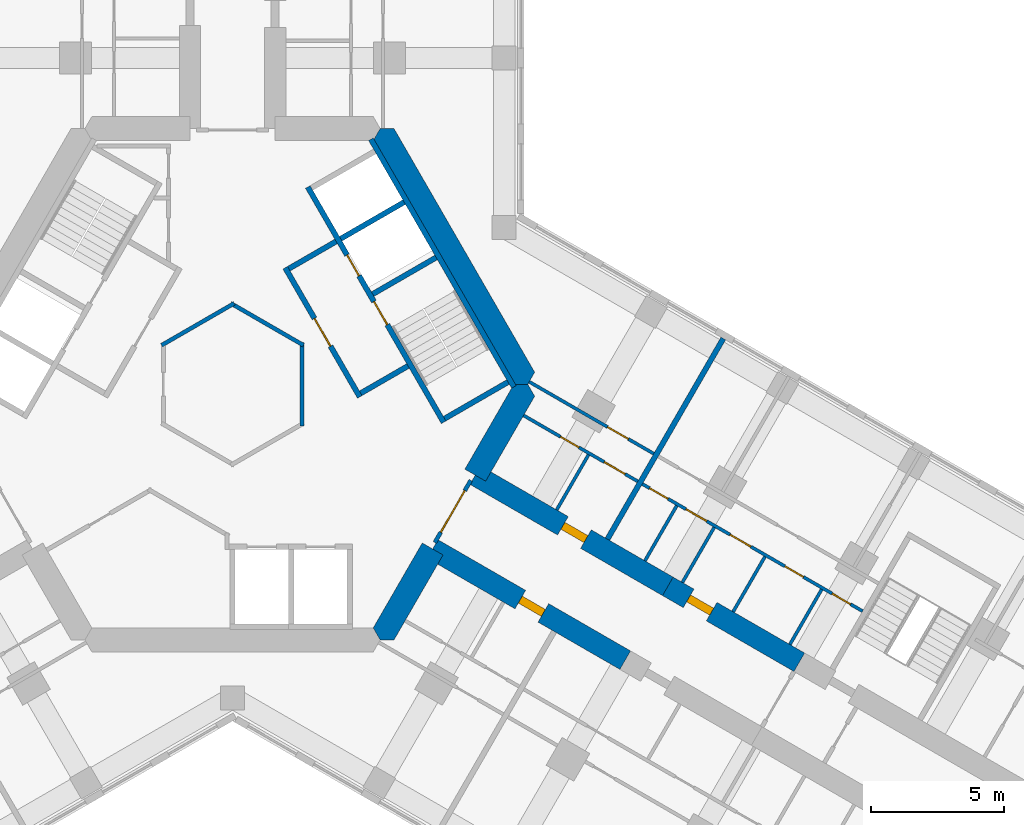
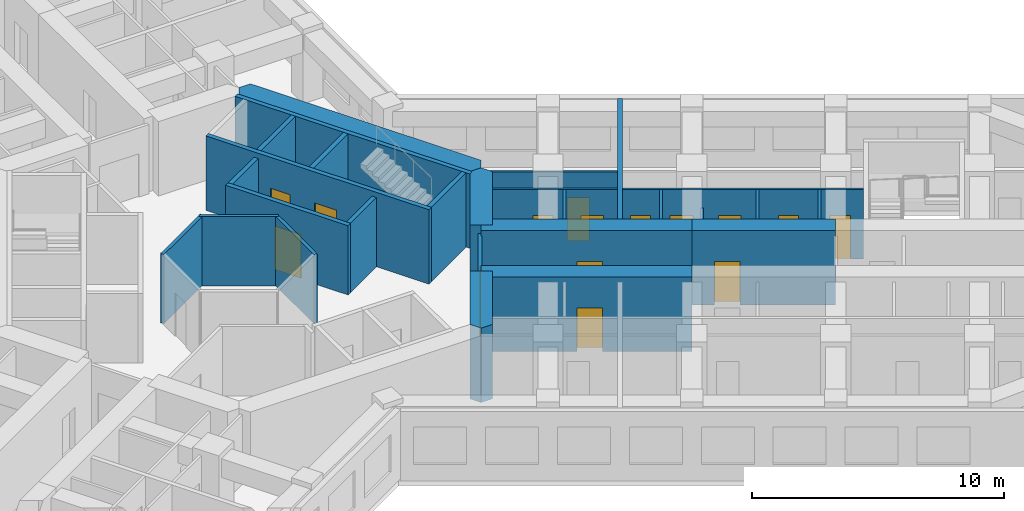
# One storey, part 15 of 19: 27 walls, 15 doors, 15 openings.
"""IFC4 building model written with IfcOpenShell, lengths in metres."""

from ifc_helpers import new_model, si_unit, direction, frame, frame_2d, origin, place, context, subcontext, project, spatial, polyline, rectangle, outline, extrude, material, layer, layer_set, type_object, element, fill, save


model = new_model("IFC4")

# Units and contexts
model_context = context("Model", 3, precision=1e-05, world=origin(), true_north=direction((0.0, 1.0)))
body_context = subcontext(model_context, "Body", "Model", "MODEL_VIEW")
ifc_project = project(units=[si_unit("LENGTHUNIT", "METRE"), si_unit("AREAUNIT", "SQUARE_METRE"), si_unit("VOLUMEUNIT", "CUBIC_METRE"), si_unit("PLANEANGLEUNIT", "RADIAN"), si_unit("MASSUNIT", "GRAM", prefix="KILO")], contexts=[model_context])

# Site, building, storey
site_placement = place(None, origin())
site = spatial("IfcSite", under=ifc_project, at=site_placement, CompositionType="ELEMENT")
building_placement = place(site_placement, origin())
building = spatial("IfcBuilding", under=site, at=building_placement, Name="Kosmar Iwan School Tower", CompositionType="ELEMENT")
storey_placement = place(building_placement, frame((0.0, 0.0, 141.800048828125)))
storey = spatial("IfcBuildingStorey", under=building, at=storey_placement, Name="L35", CompositionType="ELEMENT", Elevation=141.800048828125)

# Walls
ifc_material_1 = material(Name="Gypsum board on steel studs, fire-rated", Category="steel")
ifc_layer_1 = layer(ifc_material_1, 0.14990234375)
ifc_layer_set_1 = layer_set([ifc_layer_1], Name="Core room partition 150")
wall_type_1 = type_object("IfcWallType", Name="Core room partition 150", PredefinedType="PARTITIONING", material=ifc_layer_set_1)
for number, where, z_axis, x_axis, name in (
    (1, (-2.6650390625, 1.463623046875, 0.0), (0.0, 0.0, 1.0), (0.866023080072, 0.500004024767, 0.0), "Core room partition L35-CW11"),
    (2, (-0.06494140625, 3.039794921875, 0.0), (0.0, 0.0, 1.0), (0.866023080072, -0.500004024767, 0.0), "Core room partition L35-CW12"),
    (3, (2.60009765625, 1.576171875, 0.0), (0.0, 0.0, 1.0), (0.0, -1.0, 0.0), "Core room partition L35-CW13"),
):
    element("IfcWall", number, at=place(storey_placement, frame(where, z_axis=z_axis, x_axis=x_axis)), inside=storey, type_object=wall_type_1, Name=name, PredefinedType="PARTITIONING", context=body_context, shape_type="SweptSolid", body=[
        extrude(rectangle(XDim=3.15234375, YDim=0.14990234375, at=frame_2d((1.576171875, 0.0))), origin(), (0.0, 0.0, 1.0), 3.349853515625),
    ])
ifc_material_2 = material(Name="Concrete C50/60", Category="concrete")
ifc_layer_2 = layer(ifc_material_2, 0.89990234375)
ifc_layer_set_2 = layer_set([ifc_layer_2], Name="Core wall 900")
wall_type_2 = type_object("IfcWallType", Name="Core wall 900", PredefinedType="SHEAR", material=ifc_layer_set_2)
wall_1_placement = place(storey_placement, origin())
element("IfcWall", 4, at=wall_1_placement, inside=storey, type_object=wall_type_2, Name="Core wall F030", PredefinedType="SHEAR", context=body_context, shape_type="SweptSolid", body=[
    extrude(outline(polyline([(10.5654296875, 0.0), (11.085205078125, 0.0), (11.344970703125, 0.449951171875), (6.062255859375, 9.60009765625), (5.54248046875, 9.60009765625), (5.28271484375, 9.14990234375), (10.5654296875, 0.0)])), origin(), (0.0, 0.0, 1.0), 3.599853515625),
])
wall_2_placement = place(storey_placement, origin())
element("IfcWall", 5, at=wall_2_placement, inside=storey, type_object=wall_type_2, Name="Core wall F330a", PredefinedType="SHEAR", context=body_context, shape_type="SweptSolid", body=[
    extrude(outline(polyline([(5.54248046875, -9.60009765625), (6.062255859375, -9.60009765625), (7.903564453125, -6.41064453125), (7.1240234375, -5.960693359375), (5.28271484375, -9.14990234375), (5.54248046875, -9.60009765625)])), origin(), (0.0, 0.0, 1.0), 3.599853515625),
])
wall_3_placement = place(storey_placement, origin())
element("IfcWall", 6, at=wall_3_placement, inside=storey, type_object=wall_type_2, Name="Core wall F330b", PredefinedType="SHEAR", context=body_context, shape_type="SweptSolid", body=[
    extrude(outline(polyline([(9.503662109375, -3.639404296875), (11.344970703125, -0.449951171875), (11.085205078125, 0.0), (10.5654296875, 0.0), (8.72412109375, -3.189453125), (9.503662109375, -3.639404296875)])), origin(), (0.0, 0.0, 1.0), 3.599853515625),
])

# Wall, opening, door
ifc_material_3 = material(Name="Concrete C50/60", Category="concrete")
ifc_layer_3 = layer(ifc_material_3, 0.800048828125)
ifc_layer_set_3 = layer_set([ifc_layer_3], Name="Corridor buttress wall 800")
wall_type_3 = type_object("IfcWallType", Name="Corridor buttress wall 800", PredefinedType="SHEAR", material=ifc_layer_set_3)
wall_4_placement = place(storey_placement, frame((9.11376953125, -3.414306640625, 0.0), z_axis=(0.0, 0.0, 1.0), x_axis=(0.866026859388, -0.499997478812, 0.0)))
wall_4 = element("IfcWall", 7, at=wall_4_placement, inside=storey, type_object=wall_type_3, Name="Corridor wall CL", PredefinedType="SHEAR", context=body_context, shape_type="SweptSolid", body=[
    extrude(rectangle(XDim=8.35009765625, YDim=0.800048828125, at=frame_2d((4.175048828125, 0.0))), origin(), (0.0, 0.0, 1.0), 3.599853515625),
])
opening_1_placement = place(wall_4_placement, frame((3.800048828125, 0.0, 0.0)))
opening_1 = element("IfcOpeningElement", 8, at=opening_1_placement, cuts=wall_4, Name="Opening D1", PredefinedType="OPENING", context=body_context, shape_type="SweptSolid", body=[
    extrude(rectangle(XDim=1.0, YDim=2.10009765625, at=frame_2d((0.5, 1.050048828125))), frame((0.0, 0.412109375, 0.0), z_axis=(0.0, -1.0, 0.0), x_axis=(1.0, 0.0, 0.0)), (0.0, 0.0, 1.0), 0.823974609375),
])
ifc_material_4 = material(Name="Timber fire door in steel frame", Category="steel")
door_type_1 = type_object("IfcDoorType", Name="Flat entrance door 1000x2100", OperationType="SINGLE_SWING_LEFT", PredefinedType="DOOR", material=ifc_material_4)
door_1_placement = place(opening_1_placement, origin())
door_1 = element("IfcDoor", 9, at=door_1_placement, inside=storey, type_object=door_type_1, Name="Flat L35-CL1 entrance door", OperationType="SINGLE_SWING_LEFT", OverallHeight=2.10009765625, OverallWidth=1.0, PredefinedType="DOOR", context=body_context, shape_type="SweptSolid", body=[
    extrude(rectangle(XDim=1.0, YDim=2.10009765625, at=frame_2d((0.5, 1.050048828125))), frame((0.0, 0.14990234375, 0.0), z_axis=(0.0, -1.0, 0.0), x_axis=(1.0, 0.0, 0.0)), (0.0, 0.0, 1.0), 0.300048828125),
])
fill(opening_1, door_1)

wall_5_placement = place(storey_placement, frame((16.34521484375, -7.58935546875, 0.0), z_axis=(0.0, 0.0, 1.0), x_axis=(0.866015111908, -0.50001782563, 0.0)))
wall_5 = element("IfcWall", 10, at=wall_5_placement, inside=storey, type_object=wall_type_3, Name="Corridor wall CL bay 2", PredefinedType="SHEAR", context=body_context, shape_type="SweptSolid", body=[
    extrude(rectangle(XDim=5.699951171875, YDim=0.800048828125, at=frame_2d((2.85009765625, 0.0))), origin(), (0.0, 0.0, 1.0), 3.599853515625),
])
opening_2_placement = place(wall_5_placement, frame((0.89990234375, 0.0, 0.0)))
opening_2 = element("IfcOpeningElement", 11, at=opening_2_placement, cuts=wall_5, Name="Opening D1", PredefinedType="OPENING", context=body_context, shape_type="SweptSolid", body=[
    extrude(rectangle(XDim=1.0, YDim=2.10009765625, at=frame_2d((0.5, 1.050048828125))), frame((0.0, 0.412109375, 0.0), z_axis=(0.0, -1.0, 0.0), x_axis=(1.0, 0.0, 0.0)), (0.0, 0.0, 1.0), 0.823974609375),
])
door_2_placement = place(opening_2_placement, origin())
door_2 = element("IfcDoor", 12, at=door_2_placement, inside=storey, type_object=door_type_1, Name="Flat L35-CL2 entrance door", OperationType="SINGLE_SWING_LEFT", OverallHeight=2.10009765625, OverallWidth=1.0, PredefinedType="DOOR", context=body_context, shape_type="SweptSolid", body=[
    extrude(rectangle(XDim=1.0, YDim=2.10009765625, at=frame_2d((0.5, 1.050048828125))), frame((0.0, 0.14990234375, 0.0), z_axis=(0.0, -1.0, 0.0), x_axis=(1.0, 0.0, 0.0)), (0.0, 0.0, 1.0), 0.300048828125),
])
fill(opening_2, door_2)

wall_6_placement = place(storey_placement, frame((7.513916015625, -6.185546875, 0.0), z_axis=(0.0, 0.0, 1.0), x_axis=(0.866019549707, -0.500010139422, 0.0)))
wall_6 = element("IfcWall", 13, at=wall_6_placement, inside=storey, type_object=wall_type_3, Name="Corridor wall CR", PredefinedType="SHEAR", context=body_context, shape_type="SweptSolid", body=[
    extrude(rectangle(XDim=8.349853515625, YDim=0.800048828125, at=frame_2d((4.1748046875, 0.0))), origin(), (0.0, 0.0, 1.0), 3.599853515625),
])
opening_3_placement = place(wall_6_placement, frame((3.800048828125, 0.0, 0.0)))
opening_3 = element("IfcOpeningElement", 14, at=opening_3_placement, cuts=wall_6, Name="Opening D1", PredefinedType="OPENING", context=body_context, shape_type="SweptSolid", body=[
    extrude(rectangle(XDim=1.0, YDim=2.10009765625, at=frame_2d((0.5, 1.050048828125))), frame((0.0, 0.412109375, 0.0), z_axis=(0.0, -1.0, 0.0), x_axis=(1.0, 0.0, 0.0)), (0.0, 0.0, 1.0), 0.823974609375),
])
door_3_placement = place(opening_3_placement, origin())
door_3 = element("IfcDoor", 15, at=door_3_placement, inside=storey, type_object=door_type_1, Name="Flat L35-CR1 entrance door", OperationType="SINGLE_SWING_RIGHT", OverallHeight=2.10009765625, OverallWidth=1.0, PredefinedType="DOOR", context=body_context, shape_type="SweptSolid", body=[
    extrude(rectangle(XDim=1.0, YDim=2.10009765625, at=frame_2d((0.5, 1.050048828125))), frame((0.0, 0.14990234375, 0.0), z_axis=(0.0, -1.0, 0.0), x_axis=(1.0, 0.0, 0.0)), (0.0, 0.0, 1.0), 0.300048828125),
])
fill(opening_3, door_3)

ifc_material_5 = material(Name="Steel framed glazed screen", Category="steel")
ifc_layer_4 = layer(ifc_material_5, 0.14990234375)
ifc_layer_set_4 = layer_set([ifc_layer_4], Name="Corridor screen wall 150")
wall_type_4 = type_object("IfcWallType", Name="Corridor screen wall 150", PredefinedType="PARTITIONING", material=ifc_layer_set_4)
wall_7_placement = place(storey_placement, frame((7.595458984375, -5.944091796875, 0.0), z_axis=(0.0, 0.0, 1.0), x_axis=(0.500048589285, 0.86599734893, 0.0)))
wall_7 = element("IfcWall", 16, at=wall_7_placement, inside=storey, type_object=wall_type_4, Name="Corridor screen C L35", PredefinedType="PARTITIONING", context=body_context, shape_type="SweptSolid", body=[
    extrude(rectangle(XDim=2.699951171875, YDim=0.14990234375, at=frame_2d((1.35009765625, 0.0))), origin(), (0.0, 0.0, 1.0), 3.349853515625),
])
opening_4_placement = place(wall_7_placement, frame((0.449951171875, 0.0, 0.0)))
opening_4 = element("IfcOpeningElement", 17, at=opening_4_placement, cuts=wall_7, Name="Opening D9", PredefinedType="OPENING", context=body_context, shape_type="SweptSolid", body=[
    extrude(rectangle(XDim=1.800048828125, YDim=2.10009765625, at=frame_2d((0.89990234375, 1.050048828125))), frame((0.0, 0.0869140625, 0.0), z_axis=(0.0, -1.0, 0.0), x_axis=(1.0, 0.0, 0.0)), (0.0, 0.0, 1.0), 0.173828125),
])
ifc_material_6 = material(Name="Steel framed glazed smoke door", Category="steel")
door_type_2 = type_object("IfcDoorType", Name="Corridor smoke door pair 1800x2100", OperationType="DOUBLE_DOOR_DOUBLE_SWING", PredefinedType="DOOR", material=ifc_material_6)
door_4_placement = place(opening_4_placement, origin())
door_4 = element("IfcDoor", 18, at=door_4_placement, inside=storey, type_object=door_type_2, Name="Corridor doors C L35", OperationType="DOUBLE_DOOR_DOUBLE_SWING", OverallHeight=2.10009765625, OverallWidth=1.800048828125, PredefinedType="DOOR", context=body_context, shape_type="SweptSolid", body=[
    extrude(rectangle(XDim=1.800048828125, YDim=2.10009765625, at=frame_2d((0.89990234375, 1.050048828125))), frame((0.0, 0.02490234375, 0.0), z_axis=(0.0, -1.0, 0.0), x_axis=(1.0, 0.0, 0.0)), (0.0, 0.0, 1.0), 0.050048828125),
])
fill(opening_4, door_4)

# Wall, openings, doors
ifc_material_7 = material(Name="Gypsum board on steel studs", Category="steel")
ifc_layer_5 = layer(ifc_material_7, 0.1201171875)
ifc_layer_set_5 = layer_set([ifc_layer_5], Name="Dwelling partition 120")
wall_type_5 = type_object("IfcWallType", Name="Dwelling partition 120", PredefinedType="PARTITIONING", material=ifc_layer_set_5)
wall_8_placement = place(storey_placement, frame((10.928466796875, -1.171142578125, 0.0), z_axis=(0.0, 0.0, 1.0), x_axis=(0.866018855338, -0.500011342071, 0.0)))
wall_8 = element("IfcWall", 19, at=wall_8_placement, inside=storey, type_object=wall_type_5, Name="Partition L35-CL1-W1", PredefinedType="PARTITIONING", context=body_context, shape_type="SweptSolid", body=[
    extrude(rectangle(XDim=4.9501953125, YDim=0.1201171875, at=frame_2d((2.47509765625, 0.0))), origin(), (0.0, 0.0, 1.0), 3.349853515625),
])
opening_5_placement = place(wall_8_placement, frame((1.60009765625, 0.0, 0.0)))
opening_5 = element("IfcOpeningElement", 20, at=opening_5_placement, cuts=wall_8, Name="Opening D3", PredefinedType="OPENING", context=body_context, shape_type="SweptSolid", body=[
    extrude(rectangle(XDim=0.800048828125, YDim=2.10009765625, at=frame_2d((0.39990234375, 1.050048828125))), frame((0.0, 0.072021484375, 0.0), z_axis=(0.0, -1.0, 0.0), x_axis=(1.0, 0.0, 0.0)), (0.0, 0.0, 1.0), 0.14404296875),
])
opening_6_placement = place(wall_8_placement, frame((3.5, 0.0, 0.0)))
opening_6 = element("IfcOpeningElement", 21, at=opening_6_placement, cuts=wall_8, Name="Opening D2", PredefinedType="OPENING", context=body_context, shape_type="SweptSolid", body=[
    extrude(rectangle(XDim=0.89990234375, YDim=2.10009765625, at=frame_2d((0.449951171875, 1.050048828125))), frame((0.0, 0.072021484375, 0.0), z_axis=(0.0, -1.0, 0.0), x_axis=(1.0, 0.0, 0.0)), (0.0, 0.0, 1.0), 0.14404296875),
])
ifc_material_8 = material(Name="Timber door in timber frame", Category="wood")
door_type_3 = type_object("IfcDoorType", Name="Internal door 900x2100", OperationType="SINGLE_SWING_LEFT", PredefinedType="DOOR", material=ifc_material_8)
door_5_placement = place(opening_6_placement, origin())
door_5 = element("IfcDoor", 22, at=door_5_placement, inside=storey, type_object=door_type_3, Name="Entrance hall door L35-CL1-S2", OperationType="SINGLE_SWING_RIGHT", OverallHeight=2.10009765625, OverallWidth=0.89990234375, PredefinedType="DOOR", context=body_context, shape_type="SweptSolid", body=[
    extrude(rectangle(XDim=0.89990234375, YDim=2.10009765625, at=frame_2d((0.449951171875, 1.050048828125))), frame((0.0, 0.02490234375, 0.0), z_axis=(0.0, -1.0, 0.0), x_axis=(1.0, 0.0, 0.0)), (0.0, 0.0, 1.0), 0.050048828125),
])
fill(opening_6, door_5)
ifc_material_9 = material(Name="Timber door in timber frame", Category="wood")
door_type_4 = type_object("IfcDoorType", Name="Sanitary room door 800x2100", OperationType="SINGLE_SWING_LEFT", PredefinedType="DOOR", material=ifc_material_9)
door_6_placement = place(opening_5_placement, origin())
door_6 = element("IfcDoor", 23, at=door_6_placement, inside=storey, type_object=door_type_4, Name="Bathroom door L35-CL1-S1", OperationType="SINGLE_SWING_LEFT", OverallHeight=2.10009765625, OverallWidth=0.800048828125, PredefinedType="DOOR", context=body_context, shape_type="SweptSolid", body=[
    extrude(rectangle(XDim=0.800048828125, YDim=2.10009765625, at=frame_2d((0.39990234375, 1.050048828125))), frame((0.0, 0.02490234375, 0.0), z_axis=(0.0, -1.0, 0.0), x_axis=(1.0, 0.0, 0.0)), (0.0, 0.0, 1.0), 0.050048828125),
])
fill(opening_5, door_6)

# Wall, opening, door
wall_9_placement = place(storey_placement, frame((11.138916015625, 0.093017578125, 0.0), z_axis=(0.0, 0.0, 1.0), x_axis=(0.866028230842, -0.499995103361, 0.0)))
wall_9 = element("IfcWall", 24, at=wall_9_placement, inside=storey, type_object=wall_type_5, Name="Partition L35-CL1-W2", PredefinedType="PARTITIONING", context=body_context, shape_type="SweptSolid", body=[
    extrude(rectangle(XDim=5.39990234375, YDim=0.1201171875, at=frame_2d((2.699951171875, 0.0))), origin(), (0.0, 0.0, 1.0), 3.349853515625),
])
opening_7_placement = place(wall_9_placement, frame((3.39990234375, 0.0, 0.0)))
opening_7 = element("IfcOpeningElement", 25, at=opening_7_placement, cuts=wall_9, Name="Opening D2", PredefinedType="OPENING", context=body_context, shape_type="SweptSolid", body=[
    extrude(rectangle(XDim=0.89990234375, YDim=2.10009765625, at=frame_2d((0.449951171875, 1.050048828125))), frame((0.0, 0.072021484375, 0.0), z_axis=(0.0, -1.0, 0.0), x_axis=(1.0, 0.0, 0.0)), (0.0, 0.0, 1.0), 0.14404296875),
])
door_7_placement = place(opening_7_placement, origin())
door_7 = element("IfcDoor", 26, at=door_7_placement, inside=storey, type_object=door_type_3, Name="Studio living room and kitchen door L35-CL1-F1", OperationType="SINGLE_SWING_RIGHT", OverallHeight=2.10009765625, OverallWidth=0.89990234375, PredefinedType="DOOR", context=body_context, shape_type="SweptSolid", body=[
    extrude(rectangle(XDim=0.89990234375, YDim=2.10009765625, at=frame_2d((0.449951171875, 1.050048828125))), frame((0.0, 0.02490234375, 0.0), z_axis=(0.0, -1.0, 0.0), x_axis=(1.0, 0.0, 0.0)), (0.0, 0.0, 1.0), 0.050048828125),
])
fill(opening_7, door_7)

# Wall
wall_10_placement = place(storey_placement, frame((12.171630859375, -4.718017578125, 0.0), z_axis=(0.0, 0.0, 1.0), x_axis=(0.500017192868, 0.86601547725, 0.0)))
element("IfcWall", 27, at=wall_10_placement, inside=storey, type_object=wall_type_5, Name="Partition L35-CL1-Y1", PredefinedType="PARTITIONING", context=body_context, shape_type="SweptSolid", body=[
    extrude(rectangle(XDim=2.39013671875, YDim=0.1201171875, at=frame_2d((1.195068359375, 0.0))), origin(), (0.0, 0.0, 1.0), 3.349853515625),
])

# Wall, openings, doors
wall_11_placement = place(storey_placement, frame((15.388671875, -3.74609375, 0.0), z_axis=(0.0, 0.0, 1.0), x_axis=(0.866017851049, -0.500013081493, 0.0)))
wall_11 = element("IfcWall", 28, at=wall_11_placement, inside=storey, type_object=wall_type_5, Name="Partition L35-CL2-W1", PredefinedType="PARTITIONING", context=body_context, shape_type="SweptSolid", body=[
    extrude(rectangle(XDim=9.550048828125, YDim=0.1201171875, at=frame_2d((4.77490234375, 0.0))), origin(), (0.0, 0.0, 1.0), 3.349853515625),
])
opening_8_placement = place(wall_11_placement, frame((0.3125, 0.0, 0.0)))
opening_8 = element("IfcOpeningElement", 29, at=opening_8_placement, cuts=wall_11, Name="Opening D3", PredefinedType="OPENING", context=body_context, shape_type="SweptSolid", body=[
    extrude(rectangle(XDim=0.800048828125, YDim=2.10009765625, at=frame_2d((0.39990234375, 1.050048828125))), frame((0.0, 0.072021484375, 0.0), z_axis=(0.0, -1.0, 0.0), x_axis=(1.0, 0.0, 0.0)), (0.0, 0.0, 1.0), 0.14404296875),
])
opening_9_placement = place(wall_11_placement, frame((1.887451171875, 0.0, 0.0)))
opening_9 = element("IfcOpeningElement", 30, at=opening_9_placement, cuts=wall_11, Name="Opening D2", PredefinedType="OPENING", context=body_context, shape_type="SweptSolid", body=[
    extrude(rectangle(XDim=0.89990234375, YDim=2.10009765625, at=frame_2d((0.449951171875, 1.050048828125))), frame((0.0, 0.072021484375, 0.0), z_axis=(0.0, -1.0, 0.0), x_axis=(1.0, 0.0, 0.0)), (0.0, 0.0, 1.0), 0.14404296875),
])
opening_10_placement = place(wall_11_placement, frame((3.800048828125, 0.0, 0.0)))
opening_10 = element("IfcOpeningElement", 31, at=opening_10_placement, cuts=wall_11, Name="Opening D2", PredefinedType="OPENING", context=body_context, shape_type="SweptSolid", body=[
    extrude(rectangle(XDim=0.89990234375, YDim=2.10009765625, at=frame_2d((0.449951171875, 1.050048828125))), frame((0.0, 0.072021484375, 0.0), z_axis=(0.0, -1.0, 0.0), x_axis=(1.0, 0.0, 0.0)), (0.0, 0.0, 1.0), 0.14404296875),
])
opening_11_placement = place(wall_11_placement, frame((6.179931640625, 0.0, 0.0)))
opening_11 = element("IfcOpeningElement", 32, at=opening_11_placement, cuts=wall_11, Name="Opening D3", PredefinedType="OPENING", context=body_context, shape_type="SweptSolid", body=[
    extrude(rectangle(XDim=0.800048828125, YDim=2.10009765625, at=frame_2d((0.39990234375, 1.050048828125))), frame((0.0, 0.072021484375, 0.0), z_axis=(0.0, -1.0, 0.0), x_axis=(1.0, 0.0, 0.0)), (0.0, 0.0, 1.0), 0.14404296875),
])
opening_12_placement = place(wall_11_placement, frame((8.22998046875, 0.0, 0.0)))
opening_12 = element("IfcOpeningElement", 33, at=opening_12_placement, cuts=wall_11, Name="Opening D3", PredefinedType="OPENING", context=body_context, shape_type="SweptSolid", body=[
    extrude(rectangle(XDim=0.800048828125, YDim=2.10009765625, at=frame_2d((0.39990234375, 1.050048828125))), frame((0.0, 0.072021484375, 0.0), z_axis=(0.0, -1.0, 0.0), x_axis=(1.0, 0.0, 0.0)), (0.0, 0.0, 1.0), 0.14404296875),
])
door_8_placement = place(opening_9_placement, frame((0.89990234375, 0.0, 0.0), z_axis=(0.0, 0.0, 1.0), x_axis=(-1.0, 0.0, 0.0)))
door_8 = element("IfcDoor", 34, at=door_8_placement, inside=storey, type_object=door_type_3, Name="Pantry door L35-CL2-S2", OperationType="SINGLE_SWING_RIGHT", OverallHeight=2.10009765625, OverallWidth=0.89990234375, PredefinedType="DOOR", context=body_context, shape_type="SweptSolid", body=[
    extrude(rectangle(XDim=0.89990234375, YDim=2.10009765625, at=frame_2d((0.449951171875, 1.050048828125))), frame((0.0, 0.02490234375, 0.0), z_axis=(0.0, -1.0, 0.0), x_axis=(1.0, 0.0, 0.0)), (0.0, 0.0, 1.0), 0.050048828125),
])
fill(opening_9, door_8)
door_9_placement = place(opening_10_placement, origin())
door_9 = element("IfcDoor", 35, at=door_9_placement, inside=storey, type_object=door_type_3, Name="Entrance hall door L35-CL2-S3", OperationType="SINGLE_SWING_LEFT", OverallHeight=2.10009765625, OverallWidth=0.89990234375, PredefinedType="DOOR", context=body_context, shape_type="SweptSolid", body=[
    extrude(rectangle(XDim=0.89990234375, YDim=2.10009765625, at=frame_2d((0.449951171875, 1.050048828125))), frame((0.0, 0.02490234375, 0.0), z_axis=(0.0, -1.0, 0.0), x_axis=(1.0, 0.0, 0.0)), (0.0, 0.0, 1.0), 0.050048828125),
])
fill(opening_10, door_9)
door_10_placement = place(opening_8_placement, origin())
door_10 = element("IfcDoor", 36, at=door_10_placement, inside=storey, type_object=door_type_4, Name="Store door L35-CL2-S1", OperationType="SINGLE_SWING_LEFT", OverallHeight=2.10009765625, OverallWidth=0.800048828125, PredefinedType="DOOR", context=body_context, shape_type="SweptSolid", body=[
    extrude(rectangle(XDim=0.800048828125, YDim=2.10009765625, at=frame_2d((0.39990234375, 1.050048828125))), frame((0.0, 0.02490234375, 0.0), z_axis=(0.0, -1.0, 0.0), x_axis=(1.0, 0.0, 0.0)), (0.0, 0.0, 1.0), 0.050048828125),
])
fill(opening_8, door_10)
door_11_placement = place(opening_11_placement, origin())
door_11 = element("IfcDoor", 37, at=door_11_placement, inside=storey, type_object=door_type_4, Name="Bathroom door L35-CL2-S4", OperationType="SINGLE_SWING_RIGHT", OverallHeight=2.10009765625, OverallWidth=0.800048828125, PredefinedType="DOOR", context=body_context, shape_type="SweptSolid", body=[
    extrude(rectangle(XDim=0.800048828125, YDim=2.10009765625, at=frame_2d((0.39990234375, 1.050048828125))), frame((0.0, 0.02490234375, 0.0), z_axis=(0.0, -1.0, 0.0), x_axis=(1.0, 0.0, 0.0)), (0.0, 0.0, 1.0), 0.050048828125),
])
fill(opening_11, door_11)
door_12_placement = place(opening_12_placement, origin())
door_12 = element("IfcDoor", 38, at=door_12_placement, inside=storey, type_object=door_type_4, Name="WC door L35-CL2-S5", OperationType="SINGLE_SWING_RIGHT", OverallHeight=2.10009765625, OverallWidth=0.800048828125, PredefinedType="DOOR", context=body_context, shape_type="SweptSolid", body=[
    extrude(rectangle(XDim=0.800048828125, YDim=2.10009765625, at=frame_2d((0.39990234375, 1.050048828125))), frame((0.0, 0.02490234375, 0.0), z_axis=(0.0, -1.0, 0.0), x_axis=(1.0, 0.0, 0.0)), (0.0, 0.0, 1.0), 0.050048828125),
])
fill(opening_12, door_12)

# Walls
wall_12_placement = place(storey_placement, frame((15.484375, -6.63037109375, 0.0), z_axis=(0.0, 0.0, 1.0), x_axis=(0.499940577336, 0.866059708757, 0.0)))
element("IfcWall", 39, at=wall_12_placement, inside=storey, type_object=wall_type_5, Name="Partition L35-CL2-Y1", PredefinedType="PARTITIONING", context=body_context, shape_type="SweptSolid", body=[
    extrude(rectangle(XDim=2.389892578125, YDim=0.1201171875, at=frame_2d((1.19482421875, 0.0))), origin(), (0.0, 0.0, 1.0), 3.349853515625),
])
wall_13_placement = place(storey_placement, frame((16.8916015625, -7.44287109375, 0.0), z_axis=(0.0, 0.0, 1.0), x_axis=(0.500017192868, 0.86601547725, 0.0)))
element("IfcWall", 40, at=wall_13_placement, inside=storey, type_object=wall_type_5, Name="Partition L35-CL2-Y2", PredefinedType="PARTITIONING", context=body_context, shape_type="SweptSolid", body=[
    extrude(rectangle(XDim=2.39013671875, YDim=0.1201171875, at=frame_2d((1.195068359375, 0.0))), origin(), (0.0, 0.0, 1.0), 2.449951171875),
])
for number, where, z_axis, x_axis, name in (
    (41, (18.796875, -8.54296875, 0.0), (0.0, 0.0, 1.0), (0.500017192868, 0.86601547725, 0.0), "Partition L35-CL2-Y3"),
    (42, (20.92724609375, -9.77294921875, 0.0), (0.0, 0.0, 1.0), (0.500017192868, 0.86601547725, 0.0), "Partition L35-CL2-Y4"),
):
    element("IfcWall", number, at=place(storey_placement, frame(where, z_axis=z_axis, x_axis=x_axis)), inside=storey, type_object=wall_type_5, Name=name, PredefinedType="PARTITIONING", context=body_context, shape_type="SweptSolid", body=[
        extrude(rectangle(XDim=2.39013671875, YDim=0.1201171875, at=frame_2d((1.195068359375, 0.0))), origin(), (0.0, 0.0, 1.0), 3.349853515625),
    ])

# Wall, opening, door
ifc_material_10 = material(Name="Concrete block masonry", Category="masonry")
ifc_layer_6 = layer(ifc_material_10, 0.199951171875)
ifc_layer_set_6 = layer_set([ifc_layer_6], Name="Fire lobby wall 200")
wall_type_6 = type_object("IfcWallType", Name="Fire lobby wall 200", PredefinedType="PARTITIONING", material=ifc_layer_set_6)
wall_14_placement = place(storey_placement, frame((4.777587890625, -0.474853515625, 0.0), z_axis=(0.0, 0.0, 1.0), x_axis=(-0.500016814911, 0.866015695474, 0.0)))
wall_14 = element("IfcWall", 43, at=wall_14_placement, inside=storey, type_object=wall_type_6, Name="Firefighting lobby wall ST1", PredefinedType="PARTITIONING", context=body_context, shape_type="SweptSolid", body=[
    extrude(rectangle(XDim=5.599853515625, YDim=0.199951171875, at=frame_2d((2.7998046875, 0.0))), origin(), (0.0, 0.0, 1.0), 3.349853515625),
])
opening_13_placement = place(wall_14_placement, frame((2.199951171875, 0.0, 0.0)))
opening_13 = element("IfcOpeningElement", 44, at=opening_13_placement, cuts=wall_14, Name="Opening D7", PredefinedType="OPENING", context=body_context, shape_type="SweptSolid", body=[
    extrude(rectangle(XDim=1.199951171875, YDim=2.10009765625, at=frame_2d((0.60009765625, 1.050048828125))), frame((0.0, 0.112060546875, 0.0), z_axis=(0.0, -1.0, 0.0), x_axis=(1.0, 0.0, 0.0)), (0.0, 0.0, 1.0), 0.223876953125),
])
ifc_material_11 = material(Name="Steel fire door", Category="steel")
door_type_5 = type_object("IfcDoorType", Name="Fire lobby door 1200x2100", OperationType="SINGLE_SWING_LEFT", PredefinedType="DOOR", material=ifc_material_11)
door_13_placement = place(opening_13_placement, frame((1.199951171875, 0.0, 0.0), z_axis=(0.0, 0.0, 1.0), x_axis=(-1.0, 0.0, 0.0)))
door_13 = element("IfcDoor", 45, at=door_13_placement, inside=storey, type_object=door_type_5, Name="Firefighting lobby door ST1 L35", OperationType="SINGLE_SWING_RIGHT", OverallHeight=2.10009765625, OverallWidth=1.199951171875, PredefinedType="DOOR", context=body_context, shape_type="SweptSolid", body=[
    extrude(rectangle(XDim=1.199951171875, YDim=2.10009765625, at=frame_2d((0.60009765625, 1.050048828125))), frame((0.0, 0.02490234375, 0.0), z_axis=(0.0, -1.0, 0.0), x_axis=(1.0, 0.0, 0.0)), (0.0, 0.0, 1.0), 0.050048828125),
])
fill(opening_13, door_13)

# Walls
wall_15_placement = place(storey_placement, frame((4.814208984375, -0.33837890625, 0.0), z_axis=(0.0, 0.0, 1.0), x_axis=(0.865969381856, 0.500097020274, 0.0)))
element("IfcWall", 46, at=wall_15_placement, inside=storey, type_object=wall_type_6, Name="Firefighting lobby wall ST1", PredefinedType="PARTITIONING", context=body_context, shape_type="SweptSolid", body=[
    extrude(rectangle(XDim=2.0498046875, YDim=0.199951171875, at=frame_2d((1.02490234375, 0.0))), origin(), (0.0, 0.0, 1.0), 3.349853515625),
])
wall_16_placement = place(storey_placement, frame((2.114013671875, 4.33837890625, 0.0), z_axis=(0.0, 0.0, 1.0), x_axis=(0.866050731258, 0.499956128963, 0.0)))
element("IfcWall", 47, at=wall_16_placement, inside=storey, type_object=wall_type_6, Name="Firefighting lobby wall ST1", PredefinedType="PARTITIONING", context=body_context, shape_type="SweptSolid", body=[
    extrude(rectangle(XDim=2.050048828125, YDim=0.199951171875, at=frame_2d((1.02490234375, 0.0))), origin(), (0.0, 0.0, 1.0), 3.349853515625),
])

# Wall, openings, doors
ifc_material_12 = material(Name="Concrete C50/60", Category="concrete")
ifc_layer_7 = layer(ifc_material_12, 0.199951171875)
ifc_layer_set_7 = layer_set([ifc_layer_7], Name="Lift shaft wall 200")
wall_type_7 = type_object("IfcWallType", Name="Lift shaft wall 200", PredefinedType="SHEAR", material=ifc_layer_set_7)
wall_17_placement = place(storey_placement, frame((7.926025390625, -1.42822265625, 0.0), z_axis=(0.0, 0.0, 1.0), x_axis=(-0.499998023675, 0.866026544813, 0.0)))
wall_17 = element("IfcWall", 48, at=wall_17_placement, inside=storey, type_object=wall_type_7, Name="Lift and stair front wall AC", PredefinedType="SHEAR", context=body_context, shape_type="SweptSolid", body=[
    extrude(rectangle(XDim=10.19970703125, YDim=0.199951171875, at=frame_2d((5.099853515625, 0.0))), origin(), (0.0, 0.0, 1.0), 3.599853515625),
])
opening_14_placement = place(wall_17_placement, frame((6.35009765625, 0.0, 0.0)))
opening_14 = element("IfcOpeningElement", 49, at=opening_14_placement, cuts=wall_17, Name="Opening LD2", PredefinedType="OPENING", context=body_context, shape_type="SweptSolid", body=[
    extrude(rectangle(XDim=0.89990234375, YDim=2.10009765625, at=frame_2d((0.449951171875, 1.050048828125))), frame((0.0, 0.112060546875, 0.0), z_axis=(0.0, -1.0, 0.0), x_axis=(1.0, 0.0, 0.0)), (0.0, 0.0, 1.0), 0.223876953125),
])
opening_15_placement = place(wall_17_placement, frame((4.22998046875, 0.0, 0.0)))
opening_15 = element("IfcOpeningElement", 50, at=opening_15_placement, cuts=wall_17, Name="Opening D6", PredefinedType="OPENING", context=body_context, shape_type="SweptSolid", body=[
    extrude(rectangle(XDim=1.0, YDim=2.10009765625, at=frame_2d((0.5, 1.050048828125))), frame((0.0, 0.112060546875, 0.0), z_axis=(0.0, -1.0, 0.0), x_axis=(1.0, 0.0, 0.0)), (0.0, 0.0, 1.0), 0.223876953125),
])
ifc_material_13 = material(Name="Stainless steel sliding lift door", Category="steel")
door_type_6 = type_object("IfcDoorType", Name="Firefighting lift landing door 900x2100", OperationType="SLIDING_TO_LEFT", PredefinedType="DOOR", material=ifc_material_13)
door_14_placement = place(opening_14_placement, origin())
door_14 = element("IfcDoor", 51, at=door_14_placement, inside=storey, type_object=door_type_6, Name="Lift FF1 landing door L35", OperationType="SLIDING_TO_LEFT", OverallHeight=2.10009765625, OverallWidth=0.89990234375, PredefinedType="DOOR", context=body_context, shape_type="SweptSolid", body=[
    extrude(rectangle(XDim=0.89990234375, YDim=2.10009765625, at=frame_2d((0.449951171875, 1.050048828125))), frame((0.0, 0.02490234375, 0.0), z_axis=(0.0, -1.0, 0.0), x_axis=(1.0, 0.0, 0.0)), (0.0, 0.0, 1.0), 0.050048828125),
])
fill(opening_14, door_14)
ifc_material_14 = material(Name="Steel fire door", Category="steel")
door_type_7 = type_object("IfcDoorType", Name="Stair door 1000x2100", OperationType="SINGLE_SWING_LEFT", PredefinedType="DOOR", material=ifc_material_14)
door_15_placement = place(opening_15_placement, origin())
door_15 = element("IfcDoor", 52, at=door_15_placement, inside=storey, type_object=door_type_7, Name="Stair ST1 door L35", OperationType="SINGLE_SWING_LEFT", OverallHeight=2.10009765625, OverallWidth=1.0, PredefinedType="DOOR", context=body_context, shape_type="SweptSolid", body=[
    extrude(rectangle(XDim=1.0, YDim=2.10009765625, at=frame_2d((0.5, 1.050048828125))), frame((0.0, 0.02490234375, 0.0), z_axis=(0.0, -1.0, 0.0), x_axis=(1.0, 0.0, 0.0)), (0.0, 0.0, 1.0), 0.050048828125),
])
fill(opening_15, door_15)

# Walls
wall_18_placement = place(storey_placement, frame((10.5654296875, -0.10009765625, 0.0), z_axis=(0.0, 0.0, 1.0), x_axis=(-0.499999935134, 0.866025441235, 0.0)))
element("IfcWall", 53, at=wall_18_placement, inside=storey, type_object=wall_type_7, Name="Lift and stair back wall AC", PredefinedType="SHEAR", context=body_context, shape_type="SweptSolid", body=[
    extrude(rectangle(XDim=10.73876953125, YDim=0.199951171875, at=frame_2d((5.369384765625, 0.0))), origin(), (0.0, 0.0, 1.0), 3.599853515625),
])
wall_19_placement = place(storey_placement, frame((4.062744140625, 5.46337890625, 0.0), z_axis=(0.0, 0.0, 1.0), x_axis=(0.866027397988, 0.499996545922, 0.0)))
element("IfcWall", 54, at=wall_19_placement, inside=storey, type_object=wall_type_7, Name="Lift shaft wall AC 1", PredefinedType="SHEAR", context=body_context, shape_type="SweptSolid", body=[
    extrude(rectangle(XDim=2.75, YDim=0.199951171875, at=frame_2d((1.375, 0.0))), origin(), (0.0, 0.0, 1.0), 3.599853515625),
])
ifc_material_15 = material(Name="Concrete block masonry", Category="masonry")
ifc_layer_8 = layer(ifc_material_15, 0.199951171875)
ifc_layer_set_8 = layer_set([ifc_layer_8], Name="Party wall 200")
wall_type_8 = type_object("IfcWallType", Name="Party wall 200", PredefinedType="PARTITIONING", material=ifc_layer_set_8)
wall_20_placement = place(storey_placement, frame((14.076904296875, -5.81787109375, 0.0), z_axis=(0.0, 0.0, 1.0), x_axis=(0.500008278454, 0.866020624164, 0.0)))
element("IfcWall", 55, at=wall_20_placement, inside=storey, type_object=wall_type_8, Name="Partition L35-CL2-PW", PredefinedType="PARTITIONING", context=body_context, shape_type="SweptSolid", body=[
    extrude(rectangle(XDim=8.699951171875, YDim=0.199951171875, at=frame_2d((4.35009765625, 0.0))), origin(), (0.0, 0.0, 1.0), 3.349853515625),
])
ifc_material_16 = material(Name="Concrete C50/60", Category="concrete")
ifc_layer_9 = layer(ifc_material_16, 0.199951171875)
ifc_layer_set_9 = layer_set([ifc_layer_9], Name="Stair enclosure wall 200")
wall_type_9 = type_object("IfcWallType", Name="Stair enclosure wall 200", PredefinedType="SHEAR", material=ifc_layer_set_9)
for number, where, z_axis, x_axis, name in (
    (56, (7.962646484375, -1.291748046875, 0.0), (0.0, 0.0, 1.0), (0.866027397988, 0.499996545922, 0.0), "Stair ST1 wall"),
    (57, (5.2626953125, 3.384765625, 0.0), (0.0, 0.0, 1.0), (0.866027397988, 0.499996545922, 0.0), "Stair ST1 wall"),
):
    element("IfcWall", number, at=place(storey_placement, frame(where, z_axis=z_axis, x_axis=x_axis)), inside=storey, type_object=wall_type_9, Name=name, PredefinedType="SHEAR", context=body_context, shape_type="SweptSolid", body=[
        extrude(rectangle(XDim=2.75, YDim=0.199951171875, at=frame_2d((1.375, 0.0))), origin(), (0.0, 0.0, 1.0), 3.599853515625),
    ])

save(model, "model.ifc")
